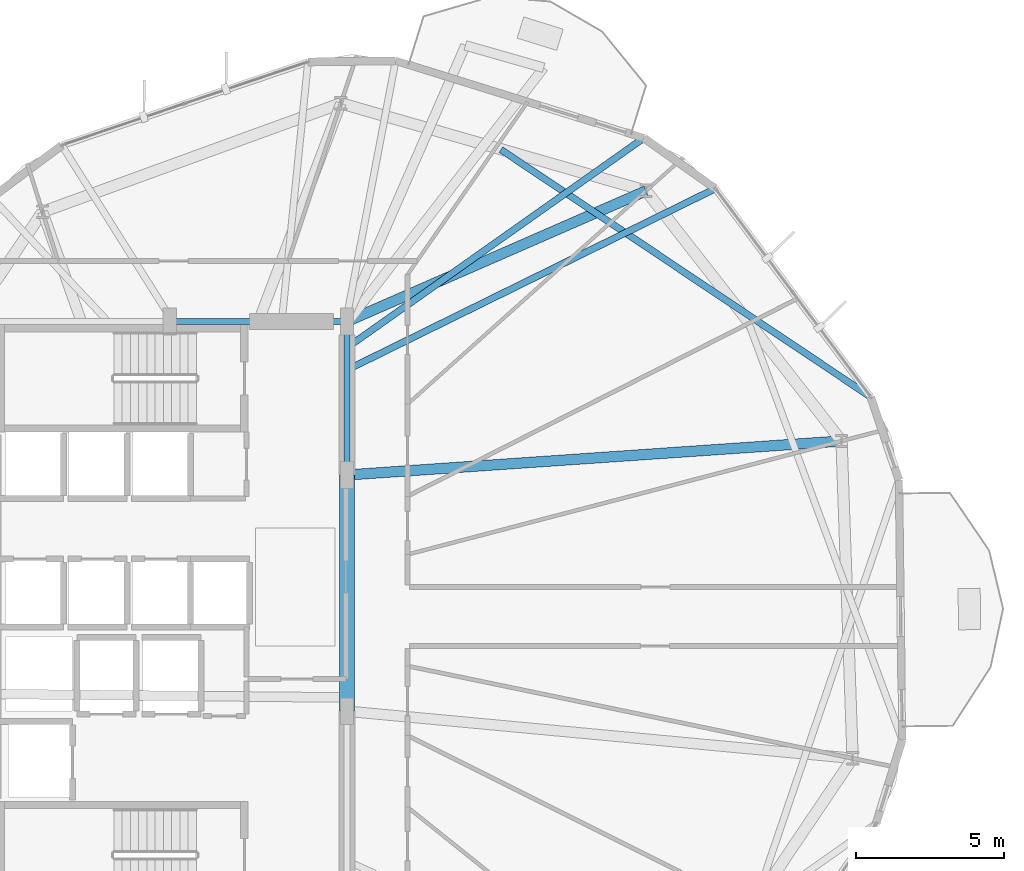
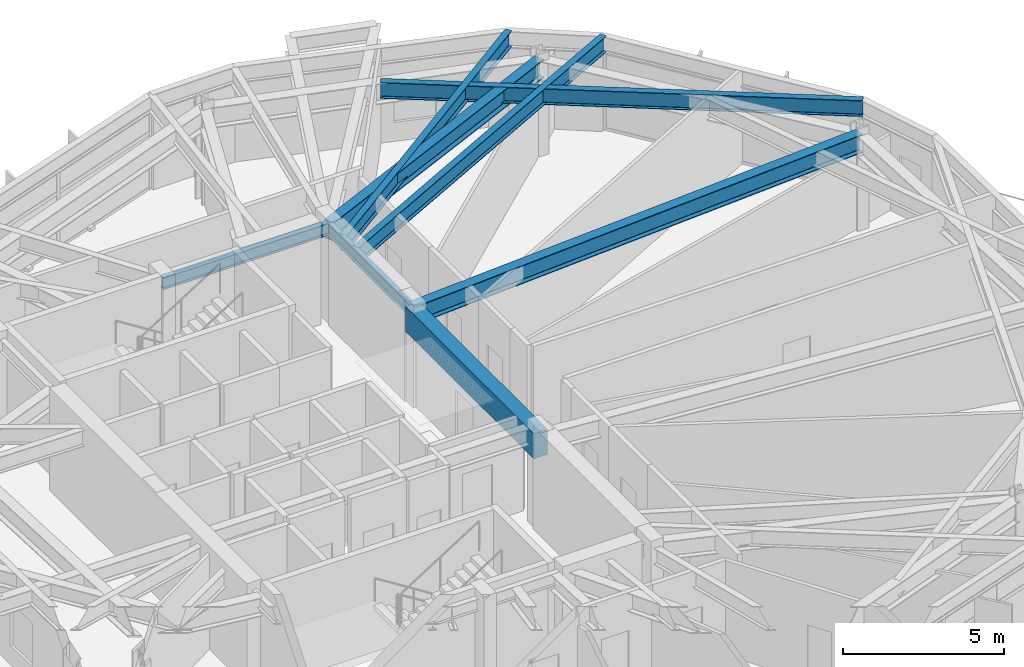
# One storey, part 10 of 25: 8 beams.
"""IFC4 building model written with IfcOpenShell, lengths in metres."""

from ifc_helpers import new_model, si_unit, direction, frame, origin, origin_2d, place, context, subcontext, project, spatial, rectangle, i_section, extrude, material, material_profile, profile_set, type_object, element, save


model = new_model("IFC4")

# Units and contexts
model_context = context("Model", 3, precision=1e-05, world=origin(), true_north=direction((0.0, 1.0)))
body_context = subcontext(model_context, "Body", "Model", "MODEL_VIEW")
ifc_project = project(units=[si_unit("LENGTHUNIT", "METRE"), si_unit("AREAUNIT", "SQUARE_METRE"), si_unit("VOLUMEUNIT", "CUBIC_METRE"), si_unit("PLANEANGLEUNIT", "RADIAN"), si_unit("MASSUNIT", "GRAM", prefix="KILO")], contexts=[model_context])

# Site, building, storey
site_placement = place(None, origin())
site = spatial("IfcSite", under=ifc_project, at=site_placement, CompositionType="ELEMENT")
building_placement = place(site_placement, origin())
building = spatial("IfcBuilding", under=site, at=building_placement, Name="Soratama Intermodal Tower", CompositionType="ELEMENT")
storey_placement = place(building_placement, frame((0.0, 0.0, 106.89990234375)))
storey = spatial("IfcBuildingStorey", under=building, at=storey_placement, Name="L25", CompositionType="ELEMENT", Elevation=106.89990234375)

# Beams
ifc_material_1 = material(Name="Concrete f'c 56 MPa", Category="concrete")
ifc_material_profile_1 = material_profile(ifc_material_1, rectangle(XDim=0.5, YDim=0.949951171875, at=origin_2d()), Name="RC500X950")
ifc_profile_set_1 = profile_set([ifc_material_profile_1], Name="Concrete f'c 56 MPa")
beam_type_1 = type_object("IfcBeamType", Name="BM-CPL-RC500X950", PredefinedType="BEAM", material=ifc_profile_set_1)
beam_1_placement = place(storey_placement, frame((44.60009765625, 21.800048828125, 3.125), z_axis=(0.0, 1.0, 0.0), x_axis=(-1.0, 0.0, 0.0)))
element("IfcBeam", 1, at=beam_1_placement, inside=storey, type_object=beam_type_1, Name="L25 Core Coupling Beam East", PredefinedType="BEAM", context=body_context, shape_type="SweptSolid", body=[
    extrude(rectangle(XDim=0.5, YDim=0.949951171875, at=origin_2d()), origin(), (0.0, 0.0, 1.0), 8.0),
])
ifc_material_2 = material(Name="Structural steel ASTM A992 Grade 50", Category="steel")
ifc_material_profile_2 = material_profile(ifc_material_2, i_section(OverallWidth=0.19091796875, OverallDepth=0.4599609375, WebThickness=0.010009765625, FlangeThickness=0.01611328125, FilletRadius=0.010986328125, at=origin_2d()), Name="W18X55")
ifc_profile_set_2 = profile_set([ifc_material_profile_2], Name="Structural steel ASTM A992 Grade 50")
beam_type_2 = type_object("IfcBeamType", Name="BM-FLR-W18X55", PredefinedType="BEAM", material=ifc_profile_set_2)
beam_2_placement = place(storey_placement, frame((44.60009765625, 29.800048828125, 3.3701171875), z_axis=(0.0, 1.0, 0.0), x_axis=(-1.0, 0.0, 0.0)))
element("IfcBeam", 2, at=beam_2_placement, inside=storey, type_object=beam_type_2, Name="BM-L25-CRING-05", PredefinedType="BEAM", context=body_context, shape_type="SweptSolid", body=[
    extrude(i_section(OverallWidth=0.19091796875, OverallDepth=0.4599609375, WebThickness=0.010009765625, FlangeThickness=0.01611328125, FilletRadius=0.010986328125, at=origin_2d()), origin(), (0.0, 0.0, 1.0), 5.199951171875),
])
beam_3_placement = place(storey_placement, frame((44.60009765625, 35.0, 3.3701171875), z_axis=(-1.0, 0.0, 0.0), x_axis=(0.0, -1.0, 0.0)))
element("IfcBeam", 3, at=beam_3_placement, inside=storey, type_object=beam_type_2, Name="BM-L25-CRING-06", PredefinedType="BEAM", context=body_context, shape_type="SweptSolid", body=[
    extrude(i_section(OverallWidth=0.19091796875, OverallDepth=0.4599609375, WebThickness=0.010009765625, FlangeThickness=0.01611328125, FilletRadius=0.010986328125, at=origin_2d()), origin(), (0.0, 0.0, 1.0), 6.0),
])
ifc_material_3 = material(Name="Structural steel ASTM A992 Grade 50", Category="steel")
ifc_material_profile_3 = material_profile(ifc_material_3, i_section(OverallWidth=0.35498046875, OverallDepth=0.695068359375, WebThickness=0.015380859375, FlangeThickness=0.02490234375, FilletRadius=0.01611328125, at=origin_2d()), Name="W27X146")
ifc_profile_set_3 = profile_set([ifc_material_profile_3], Name="Structural steel ASTM A992 Grade 50")
beam_type_3 = type_object("IfcBeamType", Name="BM-RING-W27X146", PredefinedType="BEAM", material=ifc_profile_set_3)
beam_4_placement = place(storey_placement, frame((44.60009765625, 29.800048828125, 3.252685546875), z_axis=(0.99764812202, 0.06854359656, 0.0), x_axis=(-0.06854359656, 0.99764812202, 0.0)))
element("IfcBeam", 4, at=beam_4_placement, inside=storey, type_object=beam_type_3, Name="BM-L25-RAD-01", PredefinedType="BEAM", context=body_context, shape_type="SweptSolid", body=[
    extrude(i_section(OverallWidth=0.35498046875, OverallDepth=0.695068359375, WebThickness=0.015380859375, FlangeThickness=0.02490234375, FilletRadius=0.01611328125, at=origin_2d()), origin(), (0.0, 0.0, 1.0), 16.79052734375),
])
beam_5_placement = place(storey_placement, frame((44.60009765625, 35.0, 3.252685546875), z_axis=(0.91638224797, 0.400304353718, 0.0), x_axis=(-0.400304353718, 0.91638224797, 0.0)))
element("IfcBeam", 5, at=beam_5_placement, inside=storey, type_object=beam_type_3, Name="BM-L25-RAD-02", PredefinedType="BEAM", context=body_context, shape_type="SweptSolid", body=[
    extrude(i_section(OverallWidth=0.35498046875, OverallDepth=0.695068359375, WebThickness=0.015380859375, FlangeThickness=0.02490234375, FilletRadius=0.01611328125, at=origin_2d()), origin(), (0.0, 0.0, 1.0), 11.05419921875),
])
ifc_material_4 = material(Name="Structural steel ASTM A992 Grade 50", Category="steel")
ifc_material_profile_4 = material_profile(ifc_material_4, i_section(OverallWidth=0.22900390625, OverallDepth=0.612060546875, WebThickness=0.011962890625, FlangeThickness=0.01953125, FilletRadius=0.012939453125, at=origin_2d()), Name="W24X84")
ifc_profile_set_4 = profile_set([ifc_material_profile_4], Name="Structural steel ASTM A992 Grade 50")
beam_type_4 = type_object("IfcBeamType", Name="BM-TIE-W24X84", PredefinedType="BEAM", material=ifc_profile_set_4)
beam_6_placement = place(storey_placement, frame((49.81298828125, 40.822021484375, 3.294189453125), z_axis=(0.83126703782, -0.55587328757, 0.0), x_axis=(0.55587328757, 0.83126703782, 0.0)))
element("IfcBeam", 6, at=beam_6_placement, inside=storey, type_object=beam_type_4, Name="BM-L25-TIE0-01", PredefinedType="BEAM", context=body_context, shape_type="SweptSolid", body=[
    extrude(i_section(OverallWidth=0.22900390625, OverallDepth=0.612060546875, WebThickness=0.011962890625, FlangeThickness=0.01953125, FilletRadius=0.012939453125, at=origin_2d()), origin(), (0.0, 0.0, 1.0), 15.073486328125),
])
beam_7_placement = place(storey_placement, frame((44.635986328125, 33.376953125, 3.294189453125), z_axis=(0.897177544802, 0.441670072682, 0.0), x_axis=(-0.441670072682, 0.897177544802, 0.0)))
element("IfcBeam", 7, at=beam_7_placement, inside=storey, type_object=beam_type_4, Name="BM-L25-TIE1-01", PredefinedType="BEAM", context=body_context, shape_type="SweptSolid", body=[
    extrude(i_section(OverallWidth=0.22900390625, OverallDepth=0.612060546875, WebThickness=0.011962890625, FlangeThickness=0.01953125, FilletRadius=0.012939453125, at=origin_2d()), origin(), (0.0, 0.0, 1.0), 13.867919921875),
])
beam_8_placement = place(storey_placement, frame((44.633056640625, 34.137939453125, 3.294189453125), z_axis=(0.816848739942, 0.576851918654, 0.0), x_axis=(-0.576851918654, 0.816848739942, 0.0)))
element("IfcBeam", 8, at=beam_8_placement, inside=storey, type_object=beam_type_4, Name="BM-L25-TIE0-02", PredefinedType="BEAM", context=body_context, shape_type="SweptSolid", body=[
    extrude(i_section(OverallWidth=0.22900390625, OverallDepth=0.612060546875, WebThickness=0.011962890625, FlangeThickness=0.01953125, FilletRadius=0.012939453125, at=origin_2d()), origin(), (0.0, 0.0, 1.0), 12.270263671875),
])

save(model, "model.ifc")
